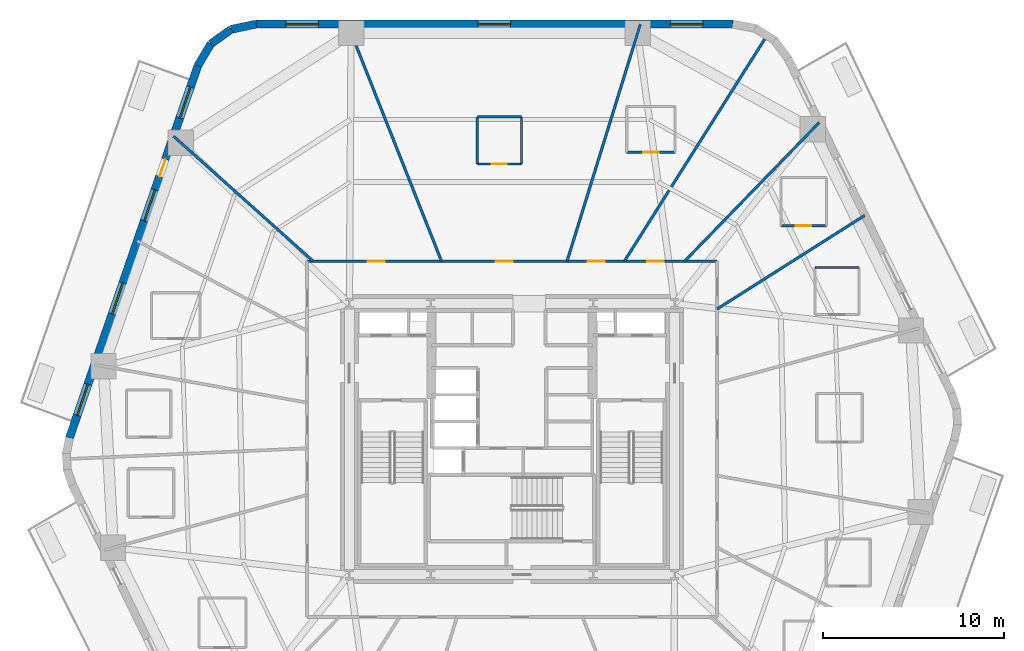
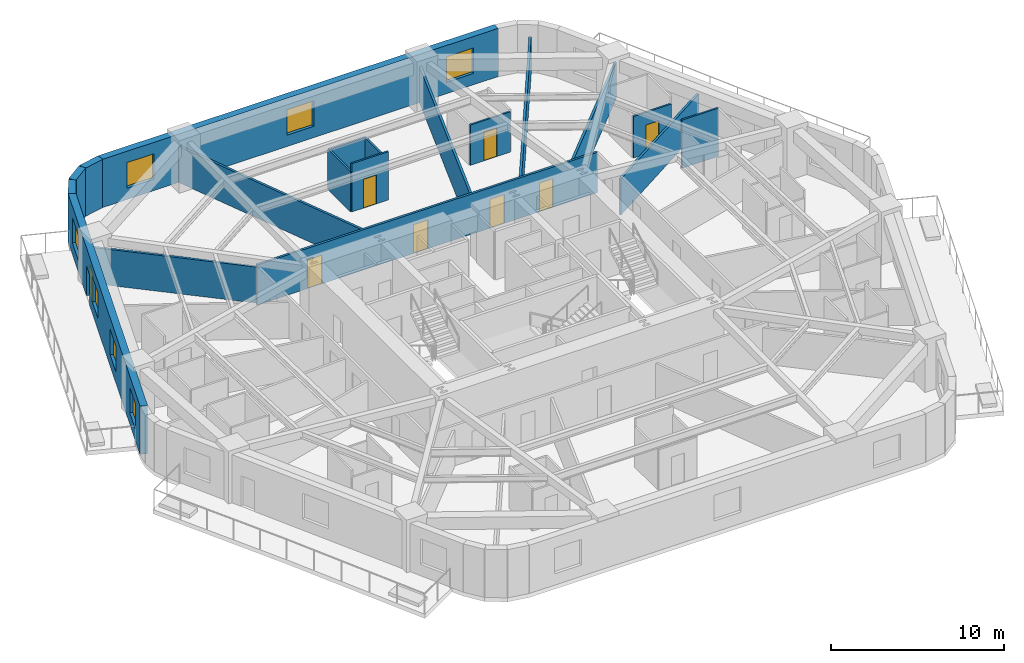
# One storey, part 6 of 10: 19 walls, 8 doors, 7 windows, 15 openings.
"""IFC4 building model written with IfcOpenShell, lengths in metres."""

from ifc_helpers import new_model, si_unit, direction, frame, frame_2d, origin, place, context, subcontext, project, spatial, rectangle, extrude, material, layer, layer_set, type_object, element, fill, save


model = new_model("IFC4")

# Units and contexts
model_context = context("Model", 3, precision=1e-05, world=origin(), true_north=direction((0.0, 1.0)))
body_context = subcontext(model_context, "Body", "Model", "MODEL_VIEW")
ifc_project = project(units=[si_unit("LENGTHUNIT", "METRE"), si_unit("AREAUNIT", "SQUARE_METRE"), si_unit("VOLUMEUNIT", "CUBIC_METRE"), si_unit("PLANEANGLEUNIT", "RADIAN"), si_unit("MASSUNIT", "GRAM", prefix="KILO")], contexts=[model_context])

# Site, building, storey
site_placement = place(None, origin())
site = spatial("IfcSite", under=ifc_project, at=site_placement, CompositionType="ELEMENT")
building_placement = place(site_placement, origin())
building = spatial("IfcBuilding", under=site, at=building_placement, Name="Kilnhurst Terrace Hotel", CompositionType="ELEMENT")
storey_placement = place(building_placement, frame((0.0, 0.0, 78.60009765625)))
storey = spatial("IfcBuildingStorey", under=building, at=storey_placement, Name="L18", CompositionType="ELEMENT", Elevation=78.60009765625)

# Walls
ifc_material_1 = material(Name="Precast concrete C40/50", Category="concrete")
ifc_layer_1 = layer(ifc_material_1, 0.449951171875, Name="Precast concrete C40/50")
ifc_layer_set_1 = layer_set([ifc_layer_1], Name="Precast concrete C40/50")
wall_type_1 = type_object("IfcWallType", Name="WL-BRK-450", PredefinedType="SOLIDWALL", material=ifc_layer_set_1)
wall_1_placement = place(storey_placement, frame((-14.168212890625, 22.97509765625, 0.0), z_axis=(0.0, 0.0, 1.0), x_axis=(-0.978770371074, -0.204959900243, 0.0)))
element("IfcWall", 1, at=wall_1_placement, inside=storey, type_object=wall_type_1, Name="L18 Rounded Corner Brick Wall C5.1", PredefinedType="SOLIDWALL", context=body_context, shape_type="SweptSolid", body=[
    extrude(rectangle(XDim=1.405517578125, YDim=0.449951171875, at=frame_2d((0.70263671875, 0.0))), origin(), (0.0, 0.0, 1.0), 3.39990234375),
])
wall_2_placement = place(storey_placement, frame((-15.5439453125, 22.68701171875, 0.0), z_axis=(0.0, 0.0, 1.0), x_axis=(-0.814210854316, -0.580569276412, 0.0)))
element("IfcWall", 2, at=wall_2_placement, inside=storey, type_object=wall_type_1, Name="L18 Rounded Corner Brick Wall C5.2", PredefinedType="SOLIDWALL", context=body_context, shape_type="SweptSolid", body=[
    extrude(rectangle(XDim=1.38134765625, YDim=0.449951171875, at=frame_2d((0.690673828125, 0.0))), origin(), (0.0, 0.0, 1.0), 3.39990234375),
])
wall_3_placement = place(storey_placement, frame((-16.668701171875, 21.885009765625, 0.0), z_axis=(0.0, 0.0, 1.0), x_axis=(-0.512936712947, -0.858426425799, 0.0)))
element("IfcWall", 3, at=wall_3_placement, inside=storey, type_object=wall_type_1, Name="L18 Rounded Corner Brick Wall C5.3", PredefinedType="SOLIDWALL", context=body_context, shape_type="SweptSolid", body=[
    extrude(rectangle(XDim=1.405517578125, YDim=0.449951171875, at=frame_2d((0.70263671875, 0.0))), origin(), (0.0, 0.0, 1.0), 3.39990234375),
])

# Wall, openings, windows
wall_4_placement = place(storey_placement, frame((12.220947265625, 22.97509765625, 0.0), z_axis=(0.0, 0.0, 1.0), x_axis=(-1.0, 0.0, 0.0)))
wall_4 = element("IfcWall", 4, at=wall_4_placement, inside=storey, type_object=wall_type_1, Name="L18 Exterior Brick Facade Wall F4", PredefinedType="SOLIDWALL", context=body_context, shape_type="SweptSolid", body=[
    extrude(rectangle(XDim=26.38916015625, YDim=0.449951171875, at=frame_2d((13.194580078125, 0.0))), origin(), (0.0, 0.0, 1.0), 3.39990234375),
])
opening_1_placement = place(wall_4_placement, frame((1.653076171875, 0.0, 0.800048828125)))
opening_1 = element("IfcOpeningElement", 5, at=opening_1_placement, cuts=wall_4, Name="Opening W-01", PredefinedType="OPENING", context=body_context, shape_type="SweptSolid", body=[
    extrude(rectangle(XDim=1.800048828125, YDim=1.800048828125, at=frame_2d((0.89990234375, 0.89990234375))), frame((0.0, 0.23486328125, 0.0), z_axis=(0.0, -1.0, 0.0), x_axis=(1.0, 0.0, 0.0)), (0.0, 0.0, 1.0), 0.469970703125),
])
opening_2_placement = place(wall_4_placement, frame((12.2958984375, 0.0, 0.800048828125)))
opening_2 = element("IfcOpeningElement", 6, at=opening_2_placement, cuts=wall_4, Name="Opening W-01", PredefinedType="OPENING", context=body_context, shape_type="SweptSolid", body=[
    extrude(rectangle(XDim=1.800048828125, YDim=1.800048828125, at=frame_2d((0.89990234375, 0.89990234375))), frame((0.0, 0.23486328125, 0.0), z_axis=(0.0, -1.0, 0.0), x_axis=(1.0, 0.0, 0.0)), (0.0, 0.0, 1.0), 0.469970703125),
])
opening_3_placement = place(wall_4_placement, frame((22.93798828125, 0.0, 0.800048828125)))
opening_3 = element("IfcOpeningElement", 7, at=opening_3_placement, cuts=wall_4, Name="Opening W-01", PredefinedType="OPENING", context=body_context, shape_type="SweptSolid", body=[
    extrude(rectangle(XDim=1.800048828125, YDim=1.800048828125, at=frame_2d((0.89990234375, 0.89990234375))), frame((0.0, 0.23486328125, 0.0), z_axis=(0.0, -1.0, 0.0), x_axis=(1.0, 0.0, 0.0)), (0.0, 0.0, 1.0), 0.469970703125),
])
ifc_material_2 = material(Name="Thermally Broken Bronze Aluminium Alloy 6063-T6 and Low-E Glass", Category="aluminium")
window_type = type_object("IfcWindowType", Name="WIN-1800X1800", PartitioningType="SINGLE_PANEL", PredefinedType="WINDOW", material=ifc_material_2)
window_1_placement = place(opening_1_placement, origin())
window_1 = element("IfcWindow", 8, at=window_1_placement, inside=storey, type_object=window_type, Name="L18 Deep-Set Masonry Window F4.1", OverallHeight=1.800048828125, OverallWidth=1.800048828125, PartitioningType="SINGLE_PANEL", PredefinedType="WINDOW", context=body_context, shape_type="SweptSolid", body=[
    extrude(rectangle(XDim=1.800048828125, YDim=1.800048828125, at=frame_2d((0.89990234375, 0.89990234375))), frame((0.0, 0.030029296875, 0.0), z_axis=(0.0, -1.0, 0.0), x_axis=(1.0, 0.0, 0.0)), (0.0, 0.0, 1.0), 0.06005859375),
])
fill(opening_1, window_1)
window_2_placement = place(opening_2_placement, origin())
window_2 = element("IfcWindow", 9, at=window_2_placement, inside=storey, type_object=window_type, Name="L18 Deep-Set Masonry Window F4.2", OverallHeight=1.800048828125, OverallWidth=1.800048828125, PartitioningType="SINGLE_PANEL", PredefinedType="WINDOW", context=body_context, shape_type="SweptSolid", body=[
    extrude(rectangle(XDim=1.800048828125, YDim=1.800048828125, at=frame_2d((0.89990234375, 0.89990234375))), frame((0.0, 0.030029296875, 0.0), z_axis=(0.0, -1.0, 0.0), x_axis=(1.0, 0.0, 0.0)), (0.0, 0.0, 1.0), 0.06005859375),
])
fill(opening_2, window_2)
window_3_placement = place(opening_3_placement, origin())
window_3 = element("IfcWindow", 10, at=window_3_placement, inside=storey, type_object=window_type, Name="L18 Deep-Set Masonry Window F4.3", OverallHeight=1.800048828125, OverallWidth=1.800048828125, PartitioningType="SINGLE_PANEL", PredefinedType="WINDOW", context=body_context, shape_type="SweptSolid", body=[
    extrude(rectangle(XDim=1.800048828125, YDim=1.800048828125, at=frame_2d((0.89990234375, 0.89990234375))), frame((0.0, 0.030029296875, 0.0), z_axis=(0.0, -1.0, 0.0), x_axis=(1.0, 0.0, 0.0)), (0.0, 0.0, 1.0), 0.06005859375),
])
fill(opening_3, window_3)

# Wall, openings, door, windows
wall_5_placement = place(storey_placement, frame((-17.3896484375, 20.678466796875, 0.0), z_axis=(0.0, 0.0, 1.0), x_axis=(-0.326068018294, -0.945346310854, 0.0)))
wall_5 = element("IfcWall", 11, at=wall_5_placement, inside=storey, type_object=wall_type_1, Name="L18 Exterior Brick Facade Wall F5", PredefinedType="SOLIDWALL", context=body_context, shape_type="SweptSolid", body=[
    extrude(rectangle(XDim=21.79296875, YDim=0.449951171875, at=frame_2d((10.896484375, 0.0))), origin(), (0.0, 0.0, 1.0), 3.39990234375),
])
opening_4_placement = place(wall_5_placement, frame((5.492919921875, 0.0, 0.0)))
opening_4 = element("IfcOpeningElement", 12, at=opening_4_placement, cuts=wall_5, Name="Opening BD-1000", PredefinedType="OPENING", context=body_context, shape_type="SweptSolid", body=[
    extrude(rectangle(XDim=1.0, YDim=2.14990234375, at=frame_2d((0.5, 1.074951171875))), frame((0.0, 0.23486328125, 0.0), z_axis=(0.0, -1.0, 0.0), x_axis=(1.0, 0.0, 0.0)), (0.0, 0.0, 1.0), 0.469970703125),
])
opening_5_placement = place(wall_5_placement, frame((1.260009765625, 0.0, 0.800048828125)))
opening_5 = element("IfcOpeningElement", 13, at=opening_5_placement, cuts=wall_5, Name="Opening W-01", PredefinedType="OPENING", context=body_context, shape_type="SweptSolid", body=[
    extrude(rectangle(XDim=1.800048828125, YDim=1.800048828125, at=frame_2d((0.89990234375, 0.89990234375))), frame((0.0, 0.23486328125, 0.0), z_axis=(0.0, -1.0, 0.0), x_axis=(1.0, 0.0, 0.0)), (0.0, 0.0, 1.0), 0.469970703125),
])
opening_6_placement = place(wall_5_placement, frame((7.282958984375, 0.0, 0.800048828125)))
opening_6 = element("IfcOpeningElement", 14, at=opening_6_placement, cuts=wall_5, Name="Opening W-01", PredefinedType="OPENING", context=body_context, shape_type="SweptSolid", body=[
    extrude(rectangle(XDim=1.800048828125, YDim=1.800048828125, at=frame_2d((0.89990234375, 0.89990234375))), frame((0.0, 0.23486328125, 0.0), z_axis=(0.0, -1.0, 0.0), x_axis=(1.0, 0.0, 0.0)), (0.0, 0.0, 1.0), 0.469970703125),
])
opening_7_placement = place(wall_5_placement, frame((12.736083984375, 0.0, 0.800048828125)))
opening_7 = element("IfcOpeningElement", 15, at=opening_7_placement, cuts=wall_5, Name="Opening W-01", PredefinedType="OPENING", context=body_context, shape_type="SweptSolid", body=[
    extrude(rectangle(XDim=1.800048828125, YDim=1.800048828125, at=frame_2d((0.89990234375, 0.89990234375))), frame((0.0, 0.23486328125, 0.0), z_axis=(0.0, -1.0, 0.0), x_axis=(1.0, 0.0, 0.0)), (0.0, 0.0, 1.0), 0.469970703125),
])
opening_8_placement = place(wall_5_placement, frame((18.679931640625, 0.0, 0.800048828125)))
opening_8 = element("IfcOpeningElement", 16, at=opening_8_placement, cuts=wall_5, Name="Opening W-01", PredefinedType="OPENING", context=body_context, shape_type="SweptSolid", body=[
    extrude(rectangle(XDim=1.800048828125, YDim=1.800048828125, at=frame_2d((0.89990234375, 0.89990234375))), frame((0.0, 0.23486328125, 0.0), z_axis=(0.0, -1.0, 0.0), x_axis=(1.0, 0.0, 0.0)), (0.0, 0.0, 1.0), 0.469970703125),
])
ifc_material_3 = material(Name="Thermally Broken Bronze Aluminium Alloy 6063-T6 and Laminated Glass", Category="aluminium")
door_type_1 = type_object("IfcDoorType", Name="DR-EXT-BAL-1000", OperationType="NOTDEFINED", PredefinedType="DOOR", material=ifc_material_3)
door_1_placement = place(opening_4_placement, origin())
door_1 = element("IfcDoor", 17, at=door_1_placement, inside=storey, type_object=door_type_1, Name="L18 Planted Balcony Door BAL-L2A", OperationType="SINGLE_SWING_LEFT", OverallHeight=2.14990234375, OverallWidth=1.0, PredefinedType="DOOR", context=body_context, shape_type="SweptSolid", body=[
    extrude(rectangle(XDim=1.0, YDim=2.14990234375, at=frame_2d((0.5, 1.074951171875))), frame((0.0, 0.02490234375, 0.0), z_axis=(0.0, -1.0, 0.0), x_axis=(1.0, 0.0, 0.0)), (0.0, 0.0, 1.0), 0.050048828125),
])
fill(opening_4, door_1)
window_4_placement = place(opening_5_placement, origin())
window_4 = element("IfcWindow", 18, at=window_4_placement, inside=storey, type_object=window_type, Name="L18 Deep-Set Masonry Window F5.1", OverallHeight=1.800048828125, OverallWidth=1.800048828125, PartitioningType="SINGLE_PANEL", PredefinedType="WINDOW", context=body_context, shape_type="SweptSolid", body=[
    extrude(rectangle(XDim=1.800048828125, YDim=1.800048828125, at=frame_2d((0.89990234375, 0.89990234375))), frame((0.0, 0.030029296875, 0.0), z_axis=(0.0, -1.0, 0.0), x_axis=(1.0, 0.0, 0.0)), (0.0, 0.0, 1.0), 0.06005859375),
])
fill(opening_5, window_4)
window_5_placement = place(opening_6_placement, origin())
window_5 = element("IfcWindow", 19, at=window_5_placement, inside=storey, type_object=window_type, Name="L18 Deep-Set Masonry Window F5.2", OverallHeight=1.800048828125, OverallWidth=1.800048828125, PartitioningType="SINGLE_PANEL", PredefinedType="WINDOW", context=body_context, shape_type="SweptSolid", body=[
    extrude(rectangle(XDim=1.800048828125, YDim=1.800048828125, at=frame_2d((0.89990234375, 0.89990234375))), frame((0.0, 0.030029296875, 0.0), z_axis=(0.0, -1.0, 0.0), x_axis=(1.0, 0.0, 0.0)), (0.0, 0.0, 1.0), 0.06005859375),
])
fill(opening_6, window_5)
window_6_placement = place(opening_7_placement, origin())
window_6 = element("IfcWindow", 20, at=window_6_placement, inside=storey, type_object=window_type, Name="L18 Deep-Set Masonry Window F5.3", OverallHeight=1.800048828125, OverallWidth=1.800048828125, PartitioningType="SINGLE_PANEL", PredefinedType="WINDOW", context=body_context, shape_type="SweptSolid", body=[
    extrude(rectangle(XDim=1.800048828125, YDim=1.800048828125, at=frame_2d((0.89990234375, 0.89990234375))), frame((0.0, 0.030029296875, 0.0), z_axis=(0.0, -1.0, 0.0), x_axis=(1.0, 0.0, 0.0)), (0.0, 0.0, 1.0), 0.06005859375),
])
fill(opening_7, window_6)
window_7_placement = place(opening_8_placement, origin())
window_7 = element("IfcWindow", 21, at=window_7_placement, inside=storey, type_object=window_type, Name="L18 Deep-Set Masonry Window F5.4", OverallHeight=1.800048828125, OverallWidth=1.800048828125, PartitioningType="SINGLE_PANEL", PredefinedType="WINDOW", context=body_context, shape_type="SweptSolid", body=[
    extrude(rectangle(XDim=1.800048828125, YDim=1.800048828125, at=frame_2d((0.89990234375, 0.89990234375))), frame((0.0, 0.030029296875, 0.0), z_axis=(0.0, -1.0, 0.0), x_axis=(1.0, 0.0, 0.0)), (0.0, 0.0, 1.0), 0.06005859375),
])
fill(opening_8, window_7)

# Wall, openings, doors
ifc_material_4 = material(Name="Acoustic Double-Gypsum Corridor Partition Assembly")
ifc_layer_2 = layer(ifc_material_4, 0.14990234375, Name="Acoustic Double-Gypsum Corridor Partition Assembly")
ifc_layer_set_2 = layer_set([ifc_layer_2], Name="Acoustic Double-Gypsum Corridor Partition Assembly")
wall_type_2 = type_object("IfcWallType", Name="WL-COR-150", PredefinedType="PARTITIONING", material=ifc_layer_set_2)
wall_6_placement = place(storey_placement, frame((-11.35009765625, 9.85009765625, 0.0), z_axis=(0.0, 0.0, 1.0), x_axis=(1.0, 0.0, 0.0)))
wall_6 = element("IfcWall", 22, at=wall_6_placement, inside=storey, type_object=wall_type_2, Name="L18 Interior Wall WL-L18-COR-02", PredefinedType="PARTITIONING", context=body_context, shape_type="SweptSolid", body=[
    extrude(rectangle(XDim=22.7001953125, YDim=0.14990234375, at=frame_2d((11.35009765625, 0.0))), origin(), (0.0, 0.0, 1.0), 2.83984375),
])
opening_9_placement = place(wall_6_placement, frame((18.8369140625, 0.0, 0.0)))
opening_9 = element("IfcOpeningElement", 23, at=opening_9_placement, cuts=wall_6, Name="Opening D-60C", PredefinedType="OPENING", context=body_context, shape_type="SweptSolid", body=[
    extrude(rectangle(XDim=0.89990234375, YDim=2.030029296875, at=frame_2d((0.449951171875, 1.01513671875))), frame((0.0, 0.0849609375, 0.0), z_axis=(0.0, -1.0, 0.0), x_axis=(1.0, 0.0, 0.0)), (0.0, 0.0, 1.0), 0.169921875),
])
opening_10_placement = place(wall_6_placement, frame((15.531982421875, 0.0, 0.0)))
opening_10 = element("IfcOpeningElement", 24, at=opening_10_placement, cuts=wall_6, Name="Opening D-60B", PredefinedType="OPENING", context=body_context, shape_type="SweptSolid", body=[
    extrude(rectangle(XDim=0.949951171875, YDim=2.030029296875, at=frame_2d((0.47509765625, 1.01513671875))), frame((0.0, 0.0849609375, 0.0), z_axis=(0.0, -1.0, 0.0), x_axis=(1.0, 0.0, 0.0)), (0.0, 0.0, 1.0), 0.169921875),
])
opening_11_placement = place(wall_6_placement, frame((10.444091796875, 0.0, 0.0)))
opening_11 = element("IfcOpeningElement", 25, at=opening_11_placement, cuts=wall_6, Name="Opening D-60B", PredefinedType="OPENING", context=body_context, shape_type="SweptSolid", body=[
    extrude(rectangle(XDim=0.949951171875, YDim=2.030029296875, at=frame_2d((0.47509765625, 1.01513671875))), frame((0.0, 0.0849609375, 0.0), z_axis=(0.0, -1.0, 0.0), x_axis=(1.0, 0.0, 0.0)), (0.0, 0.0, 1.0), 0.169921875),
])
opening_12_placement = place(wall_6_placement, frame((3.368896484375, 0.0, 0.0)))
opening_12 = element("IfcOpeningElement", 26, at=opening_12_placement, cuts=wall_6, Name="Opening D-60B", PredefinedType="OPENING", context=body_context, shape_type="SweptSolid", body=[
    extrude(rectangle(XDim=0.949951171875, YDim=2.030029296875, at=frame_2d((0.47509765625, 1.01513671875))), frame((0.0, 0.0849609375, 0.0), z_axis=(0.0, -1.0, 0.0), x_axis=(1.0, 0.0, 0.0)), (0.0, 0.0, 1.0), 0.169921875),
])
ifc_material_5 = material(Name="Painted Solid-Core Service Fire Door")
door_type_2 = type_object("IfcDoorType", Name="DR-FD60-900", OperationType="NOTDEFINED", PredefinedType="DOOR", material=ifc_material_5)
door_2_placement = place(opening_9_placement, origin())
door_2 = element("IfcDoor", 27, at=door_2_placement, inside=storey, type_object=door_type_2, Name="L18 Executive Work Office Door 3", OperationType="SINGLE_SWING_LEFT", OverallHeight=2.030029296875, OverallWidth=0.89990234375, PredefinedType="DOOR", context=body_context, shape_type="SweptSolid", body=[
    extrude(rectangle(XDim=0.89990234375, YDim=2.030029296875, at=frame_2d((0.449951171875, 1.01513671875))), frame((0.0, 0.02490234375, 0.0), z_axis=(0.0, -1.0, 0.0), x_axis=(1.0, 0.0, 0.0)), (0.0, 0.0, 1.0), 0.050048828125),
])
fill(opening_9, door_2)
ifc_material_6 = material(Name="Acoustic Walnut Veneer Solid-Core Fire Door")
door_type_3 = type_object("IfcDoorType", Name="DR-FD60-950", OperationType="NOTDEFINED", PredefinedType="DOOR", material=ifc_material_6)
door_3_placement = place(opening_10_placement, origin())
door_3 = element("IfcDoor", 28, at=door_3_placement, inside=storey, type_object=door_type_3, Name="L18 Guest Room Entry Door 4", OperationType="SINGLE_SWING_RIGHT", OverallHeight=2.030029296875, OverallWidth=0.949951171875, PredefinedType="DOOR", context=body_context, shape_type="SweptSolid", body=[
    extrude(rectangle(XDim=0.949951171875, YDim=2.030029296875, at=frame_2d((0.47509765625, 1.01513671875))), frame((0.0, 0.02490234375, 0.0), z_axis=(0.0, -1.0, 0.0), x_axis=(1.0, 0.0, 0.0)), (0.0, 0.0, 1.0), 0.050048828125),
])
fill(opening_10, door_3)
door_4_placement = place(opening_11_placement, origin())
door_4 = element("IfcDoor", 29, at=door_4_placement, inside=storey, type_object=door_type_3, Name="L18 Executive Suite Entry Door 5", OperationType="SINGLE_SWING_LEFT", OverallHeight=2.030029296875, OverallWidth=0.949951171875, PredefinedType="DOOR", context=body_context, shape_type="SweptSolid", body=[
    extrude(rectangle(XDim=0.949951171875, YDim=2.030029296875, at=frame_2d((0.47509765625, 1.01513671875))), frame((0.0, 0.02490234375, 0.0), z_axis=(0.0, -1.0, 0.0), x_axis=(1.0, 0.0, 0.0)), (0.0, 0.0, 1.0), 0.050048828125),
])
fill(opening_11, door_4)
door_5_placement = place(opening_12_placement, origin())
door_5 = element("IfcDoor", 30, at=door_5_placement, inside=storey, type_object=door_type_3, Name="L18 Club Tea Lounge Door", OperationType="SINGLE_SWING_RIGHT", OverallHeight=2.030029296875, OverallWidth=0.949951171875, PredefinedType="DOOR", context=body_context, shape_type="SweptSolid", body=[
    extrude(rectangle(XDim=0.949951171875, YDim=2.030029296875, at=frame_2d((0.47509765625, 1.01513671875))), frame((0.0, 0.02490234375, 0.0), z_axis=(0.0, -1.0, 0.0), x_axis=(1.0, 0.0, 0.0)), (0.0, 0.0, 1.0), 0.050048828125),
])
fill(opening_12, door_5)

# Walls
ifc_material_7 = material(Name="STC-58 Acoustic Twin-Frame Guestroom Demising Partition")
ifc_layer_3 = layer(ifc_material_7, 0.14990234375, Name="STC-58 Acoustic Twin-Frame Guestroom Demising Partition")
ifc_layer_set_3 = layer_set([ifc_layer_3], Name="STC-58 Acoustic Twin-Frame Guestroom Demising Partition")
wall_type_3 = type_object("IfcWallType", Name="WL-DEM-150", PredefinedType="PARTITIONING", material=ifc_layer_set_3)
wall_7_placement = place(storey_placement, frame((11.35009765625, 7.198974609375, 0.0), z_axis=(0.0, 0.0, 1.0), x_axis=(0.844458213289, 0.535621439087, 0.0)))
element("IfcWall", 31, at=wall_7_placement, inside=storey, type_object=wall_type_3, Name="L18 Interior Wall WL-L18-DEM-MID01-02-1", PredefinedType="PARTITIONING", context=body_context, shape_type="SweptSolid", body=[
    extrude(rectangle(XDim=9.67919921875, YDim=0.14990234375, at=frame_2d((4.839599609375, 0.0))), origin(), (0.0, 0.0, 1.0), 2.539794921875),
])
wall_8_placement = place(storey_placement, frame((9.5576171875, 9.85009765625, 0.0), z_axis=(0.0, 0.0, 1.0), x_axis=(0.69638346089, 0.717669893056, 0.0)))
element("IfcWall", 32, at=wall_8_placement, inside=storey, type_object=wall_type_3, Name="L18 Interior Wall WL-L18-DEM-COL02-03-1", PredefinedType="PARTITIONING", context=body_context, shape_type="SweptSolid", body=[
    extrude(rectangle(XDim=10.700927734375, YDim=0.14990234375, at=frame_2d((5.3505859375, 0.0))), origin(), (0.0, 0.0, 1.0), 2.539794921875),
])
wall_9_placement = place(storey_placement, frame((6.222412109375, 9.85009765625, 0.0), z_axis=(0.0, 0.0, 1.0), x_axis=(0.534069056435, 0.845440857162, 0.0)))
element("IfcWall", 33, at=wall_9_placement, inside=storey, type_object=wall_type_3, Name="L18 Interior Wall WL-L18-DEM-MID02-04-1", PredefinedType="PARTITIONING", context=body_context, shape_type="SweptSolid", body=[
    extrude(rectangle(XDim=14.611328125, YDim=0.14990234375, at=frame_2d((7.3056640625, 0.0))), origin(), (0.0, 0.0, 1.0), 2.539794921875),
])
wall_10_placement = place(storey_placement, frame((3.047607421875, 9.85009765625, 0.0), z_axis=(0.0, 0.0, 1.0), x_axis=(0.295553992761, 0.955326037206, 0.0)))
element("IfcWall", 34, at=wall_10_placement, inside=storey, type_object=wall_type_3, Name="L18 Interior Wall WL-L18-DEM-COL03-05-1", PredefinedType="PARTITIONING", context=body_context, shape_type="SweptSolid", body=[
    extrude(rectangle(XDim=13.73876953125, YDim=0.14990234375, at=frame_2d((6.869384765625, 0.0))), origin(), (0.0, 0.0, 1.0), 2.539794921875),
])
wall_11_placement = place(storey_placement, frame((-3.90185546875, 9.85009765625, 0.0), z_axis=(0.0, 0.0, 1.0), x_axis=(-0.36828765711, 0.929711891728, 0.0)))
element("IfcWall", 35, at=wall_11_placement, inside=storey, type_object=wall_type_3, Name="L18 Interior Wall WL-L18-DEM-COL04-06-1", PredefinedType="PARTITIONING", context=body_context, shape_type="SweptSolid", body=[
    extrude(rectangle(XDim=14.1171875, YDim=0.14990234375, at=frame_2d((7.05859375, 0.0))), origin(), (0.0, 0.0, 1.0), 2.539794921875),
])
wall_12_placement = place(storey_placement, frame((-11.006591796875, 9.85009765625, 0.0), z_axis=(0.0, 0.0, 1.0), x_axis=(-0.745177305978, 0.666866390407, 0.0)))
element("IfcWall", 36, at=wall_12_placement, inside=storey, type_object=wall_type_3, Name="L18 Interior Wall WL-L18-DEM-COL05-07-1", PredefinedType="PARTITIONING", context=body_context, shape_type="SweptSolid", body=[
    extrude(rectangle(XDim=10.375244140625, YDim=0.14990234375, at=frame_2d((5.1875, 0.0))), origin(), (0.0, 0.0, 1.0), 2.539794921875),
])
ifc_material_8 = material(Name="120 mm Moisture-Resistant Tile-Backed Bathroom Partition")
ifc_layer_4 = layer(ifc_material_8, 0.1201171875, Name="120 mm Moisture-Resistant Tile-Backed Bathroom Partition")
ifc_layer_set_4 = layer_set([ifc_layer_4], Name="120 mm Moisture-Resistant Tile-Backed Bathroom Partition")
wall_type_4 = type_object("IfcWallType", Name="WL-PART-120", PredefinedType="PARTITIONING", material=ifc_layer_set_4)
wall_13_placement = place(storey_placement, frame((19.216064453125, 9.501953125, 0.0), z_axis=(0.0, 0.0, 1.0), x_axis=(-1.0, 0.0, 0.0)))
element("IfcWall", 37, at=wall_13_placement, inside=storey, type_object=wall_type_4, Name="L18 Interior Wall WL-L18-BTH-01-3", PredefinedType="PARTITIONING", context=body_context, shape_type="SweptSolid", body=[
    extrude(rectangle(XDim=2.440185546875, YDim=0.1201171875, at=frame_2d((1.22021484375, 0.0))), origin(), (0.0, 0.0, 1.0), 3.39990234375),
])

# Wall, opening, door
wall_14_placement = place(storey_placement, frame((14.881103515625, 11.80908203125, 0.0), z_axis=(0.0, 0.0, 1.0), x_axis=(1.0, 0.0, 0.0)))
wall_14 = element("IfcWall", 38, at=wall_14_placement, inside=storey, type_object=wall_type_4, Name="L18 Interior Wall WL-L18-BTH-02-1", PredefinedType="PARTITIONING", context=body_context, shape_type="SweptSolid", body=[
    extrude(rectangle(XDim=2.519775390625, YDim=0.1201171875, at=frame_2d((1.259765625, 0.0))), origin(), (0.0, 0.0, 1.0), 2.926513671875),
])
opening_13_placement = place(wall_14_placement, frame((0.8349609375, 0.0, 0.0)))
opening_13 = element("IfcOpeningElement", 39, at=opening_13_placement, cuts=wall_14, Name="Opening D-08A", PredefinedType="OPENING", context=body_context, shape_type="SweptSolid", body=[
    extrude(rectangle(XDim=0.85009765625, YDim=2.030029296875, at=frame_2d((0.425048828125, 1.01513671875))), frame((0.0, 0.070068359375, 0.0), z_axis=(0.0, -1.0, 0.0), x_axis=(1.0, 0.0, 0.0)), (0.0, 0.0, 1.0), 0.14013671875),
])
ifc_material_9 = material(Name="Moisture-Resistant Lacquered En-suite Bathroom Door")
door_type_4 = type_object("IfcDoorType", Name="DR-INT-850", OperationType="NOTDEFINED", PredefinedType="DOOR", material=ifc_material_9)
door_6_placement = place(opening_13_placement, origin())
door_6 = element("IfcDoor", 40, at=door_6_placement, inside=storey, type_object=door_type_4, Name="L18 En-suite Bathroom Door 2", OperationType="SINGLE_SWING_LEFT", OverallHeight=2.030029296875, OverallWidth=0.85009765625, PredefinedType="DOOR", context=body_context, shape_type="SweptSolid", body=[
    extrude(rectangle(XDim=0.85009765625, YDim=2.030029296875, at=frame_2d((0.425048828125, 1.01513671875))), frame((0.0, 0.02490234375, 0.0), z_axis=(0.0, -1.0, 0.0), x_axis=(1.0, 0.0, 0.0)), (0.0, 0.0, 1.0), 0.050048828125),
])
fill(opening_13, door_6)

wall_15_placement = place(storey_placement, frame((6.35107421875, 15.876953125, 0.0), z_axis=(0.0, 0.0, 1.0), x_axis=(1.0, 0.0, 0.0)))
wall_15 = element("IfcWall", 41, at=wall_15_placement, inside=storey, type_object=wall_type_4, Name="L18 Interior Wall WL-L18-BTH-04-1", PredefinedType="PARTITIONING", context=body_context, shape_type="SweptSolid", body=[
    extrude(rectangle(XDim=2.679931640625, YDim=0.1201171875, at=frame_2d((1.33984375, 0.0))), origin(), (0.0, 0.0, 1.0), 2.83984375),
])
opening_14_placement = place(wall_15_placement, frame((0.9150390625, 0.0, 0.0)))
opening_14 = element("IfcOpeningElement", 42, at=opening_14_placement, cuts=wall_15, Name="Opening D-08A", PredefinedType="OPENING", context=body_context, shape_type="SweptSolid", body=[
    extrude(rectangle(XDim=0.85009765625, YDim=2.030029296875, at=frame_2d((0.425048828125, 1.01513671875))), frame((0.0, 0.070068359375, 0.0), z_axis=(0.0, -1.0, 0.0), x_axis=(1.0, 0.0, 0.0)), (0.0, 0.0, 1.0), 0.14013671875),
])
door_7_placement = place(opening_14_placement, origin())
door_7 = element("IfcDoor", 43, at=door_7_placement, inside=storey, type_object=door_type_4, Name="L18 En-suite Bathroom Door 4", OperationType="SINGLE_SWING_LEFT", OverallHeight=2.030029296875, OverallWidth=0.85009765625, PredefinedType="DOOR", context=body_context, shape_type="SweptSolid", body=[
    extrude(rectangle(XDim=0.85009765625, YDim=2.030029296875, at=frame_2d((0.425048828125, 1.01513671875))), frame((0.0, 0.02490234375, 0.0), z_axis=(0.0, -1.0, 0.0), x_axis=(1.0, 0.0, 0.0)), (0.0, 0.0, 1.0), 0.050048828125),
])
fill(opening_14, door_7)

wall_16_placement = place(storey_placement, frame((-1.922119140625, 15.23193359375, 0.0), z_axis=(0.0, 0.0, 1.0), x_axis=(1.0, 0.0, 0.0)))
wall_16 = element("IfcWall", 44, at=wall_16_placement, inside=storey, type_object=wall_type_4, Name="L18 Interior Wall WL-L18-BTH-05-1", PredefinedType="PARTITIONING", context=body_context, shape_type="SweptSolid", body=[
    extrude(rectangle(XDim=2.440185546875, YDim=0.1201171875, at=frame_2d((1.22021484375, 0.0))), origin(), (0.0, 0.0, 1.0), 3.39990234375),
])
opening_15_placement = place(wall_16_placement, frame((0.794921875, 0.0, 0.0)))
opening_15 = element("IfcOpeningElement", 45, at=opening_15_placement, cuts=wall_16, Name="Opening D-08A", PredefinedType="OPENING", context=body_context, shape_type="SweptSolid", body=[
    extrude(rectangle(XDim=0.85009765625, YDim=2.030029296875, at=frame_2d((0.425048828125, 1.01513671875))), frame((0.0, 0.070068359375, 0.0), z_axis=(0.0, -1.0, 0.0), x_axis=(1.0, 0.0, 0.0)), (0.0, 0.0, 1.0), 0.14013671875),
])
door_8_placement = place(opening_15_placement, origin())
door_8 = element("IfcDoor", 46, at=door_8_placement, inside=storey, type_object=door_type_4, Name="L18 En-suite Bathroom Door 5", OperationType="SINGLE_SWING_RIGHT", OverallHeight=2.030029296875, OverallWidth=0.85009765625, PredefinedType="DOOR", context=body_context, shape_type="SweptSolid", body=[
    extrude(rectangle(XDim=0.85009765625, YDim=2.030029296875, at=frame_2d((0.425048828125, 1.01513671875))), frame((0.0, 0.02490234375, 0.0), z_axis=(0.0, -1.0, 0.0), x_axis=(1.0, 0.0, 0.0)), (0.0, 0.0, 1.0), 0.050048828125),
])
fill(opening_15, door_8)

# Walls
wall_17_placement = place(storey_placement, frame((0.51806640625, 15.23193359375, 0.0), z_axis=(0.0, 0.0, 1.0), x_axis=(0.0, 1.0, 0.0)))
element("IfcWall", 47, at=wall_17_placement, inside=storey, type_object=wall_type_4, Name="L18 Interior Wall WL-L18-BTH-05-2", PredefinedType="PARTITIONING", context=body_context, shape_type="SweptSolid", body=[
    extrude(rectangle(XDim=2.610107421875, YDim=0.1201171875, at=frame_2d((1.30517578125, 0.0))), origin(), (0.0, 0.0, 1.0), 2.84033203125),
])
wall_18_placement = place(storey_placement, frame((0.51806640625, 17.842041015625, 0.0), z_axis=(0.0, 0.0, 1.0), x_axis=(-1.0, 0.0, 0.0)))
element("IfcWall", 48, at=wall_18_placement, inside=storey, type_object=wall_type_4, Name="L18 Interior Wall WL-L18-BTH-05-3", PredefinedType="PARTITIONING", context=body_context, shape_type="SweptSolid", body=[
    extrude(rectangle(XDim=2.440185546875, YDim=0.1201171875, at=frame_2d((1.22021484375, 0.0))), origin(), (0.0, 0.0, 1.0), 2.84033203125),
])
wall_19_placement = place(storey_placement, frame((-1.922119140625, 17.842041015625, 0.0), z_axis=(0.0, 0.0, 1.0), x_axis=(0.0, -1.0, 0.0)))
element("IfcWall", 49, at=wall_19_placement, inside=storey, type_object=wall_type_4, Name="L18 Interior Wall WL-L18-BTH-05-4", PredefinedType="PARTITIONING", context=body_context, shape_type="SweptSolid", body=[
    extrude(rectangle(XDim=2.610107421875, YDim=0.1201171875, at=frame_2d((1.30517578125, 0.0))), origin(), (0.0, 0.0, 1.0), 2.84033203125),
])

save(model, "model.ifc")
